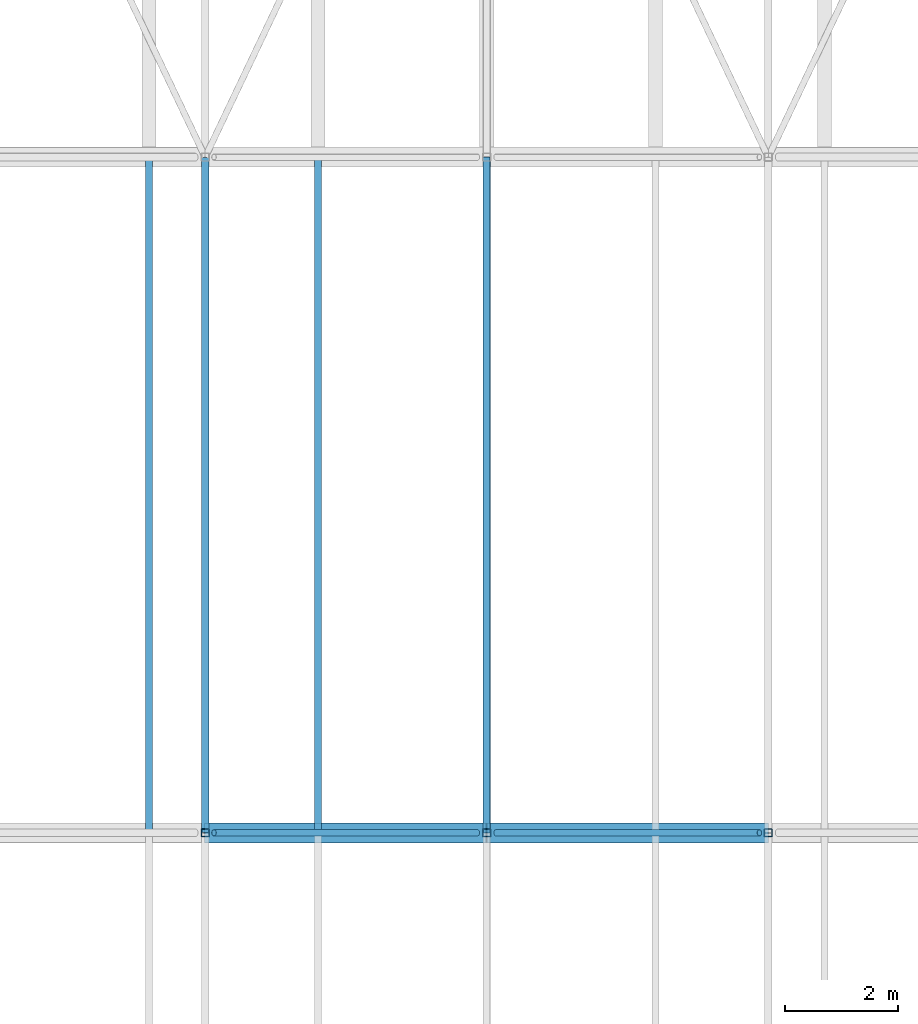
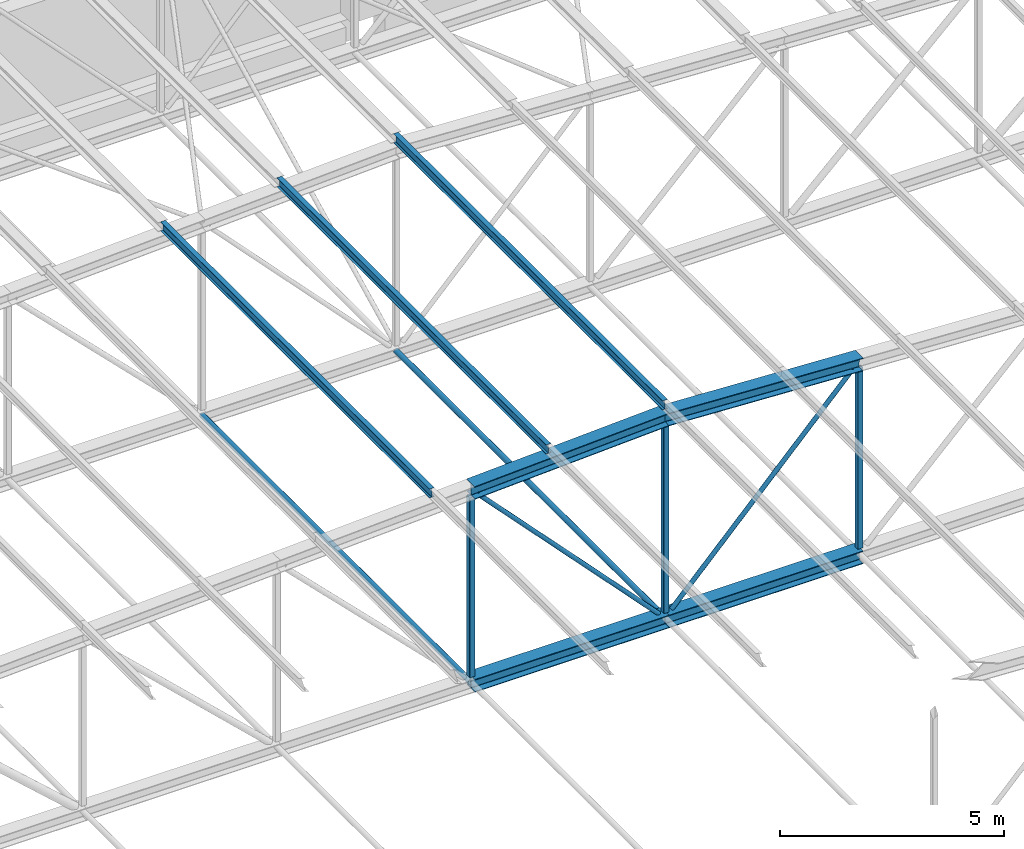
# One storey, part 109 of 156: 14 members.
"""IFC4 building model written with IfcOpenShell, lengths in metres."""

from ifc_helpers import new_model, si_unit, direction, frame, origin, origin_2d, place, context, subcontext, project, spatial, hollow_rectangle, hollow_circle, i_section, extrude, material, material_profile, profile_set, type_object, element, save


model = new_model("IFC4")

# Units and contexts
model_context = context("Model", 3, precision=1e-05, world=origin(), true_north=direction((0.0, 1.0)))
body_context = subcontext(model_context, "Body", "Model", "MODEL_VIEW")
ifc_project = project(units=[si_unit("LENGTHUNIT", "METRE"), si_unit("AREAUNIT", "SQUARE_METRE"), si_unit("VOLUMEUNIT", "CUBIC_METRE"), si_unit("PLANEANGLEUNIT", "RADIAN"), si_unit("MASSUNIT", "GRAM", prefix="KILO")], contexts=[model_context])

# Site, building, storey
site_placement = place(None, origin())
site = spatial("IfcSite", under=ifc_project, at=site_placement, CompositionType="ELEMENT")
building_placement = place(site_placement, origin())
building = spatial("IfcBuilding", under=site, at=building_placement, Name="Lilac Gate Convention Centre", CompositionType="ELEMENT")
storey_placement = place(building_placement, frame((0.0, 0.0, 17.0)))
storey = spatial("IfcBuildingStorey", under=building, at=storey_placement, Name="L03", CompositionType="ELEMENT", Elevation=17.0)

# Members
ifc_material = material(Name="Steel Q355B", Category="steel")
ifc_material_profile_1 = material_profile(ifc_material, hollow_circle(Radius=0.06982421875, WallThickness=0.0048828125, at=origin_2d()), Name="CHS139.7x5")
ifc_profile_set_1 = profile_set([ifc_material_profile_1], Name="Steel Q355B")
member_type_1 = type_object("IfcMemberType", Name="Bottom chord tie CHS139.7x5", PredefinedType="STRUT", material=ifc_profile_set_1)
for number, where, z_axis, x_axis, name in (
    (1, (55.0, 198.009521484375, 0.0), (0.0, 1.0, 0.0), (-1.0, 0.0, 0.0), "ST1 tie bay 15 node 6"),
    (2, (60.0, 198.009521484375, 0.0), (0.0, 1.0, 0.0), (-1.0, 0.0, 0.0), "ST1 tie bay 15 node 7"),
):
    element("IfcMember", number, at=place(storey_placement, frame(where, z_axis=z_axis, x_axis=x_axis)), inside=storey, type_object=member_type_1, Name=name, PredefinedType="STRUT", context=body_context, shape_type="SweptSolid", body=[
        extrude(hollow_circle(Radius=0.06982421875, WallThickness=0.0048828125, at=origin_2d()), origin(), (0.0, 0.0, 1.0), 11.98095703125),
    ])
ifc_material_profile_2 = material_profile(ifc_material, i_section(OverallWidth=0.125, OverallDepth=0.25, WebThickness=0.006103515625, FlangeThickness=0.009033203125, FilletRadius=0.008056640625, at=origin_2d()), Name="HN250x125x6x9")
ifc_profile_set_2 = profile_set([ifc_material_profile_2], Name="Steel Q355B")
member_type_2 = type_object("IfcMemberType", Name="Roof purlin HN250x125x6x9", PredefinedType="PURLIN", material=ifc_profile_set_2)
for number, where, z_axis, x_axis, name in (
    (3, (54.0, 198.0, 5.500244140625), (0.0, 1.0, 0.0), (-1.0, 0.0, 0.0), "PU2 purlin bay 15 line 9"),
    (4, (57.0, 198.0, 5.650146484375), (0.0, 1.0, 0.0), (-1.0, 0.0, 0.0), "PU2 purlin bay 15 line 10"),
    (5, (60.0, 198.0, 5.80029296875), (0.0, 1.0, 0.0), (-1.0, 0.0, 0.0), "PU2 purlin bay 15 line 11"),
):
    element("IfcMember", number, at=place(storey_placement, frame(where, z_axis=z_axis, x_axis=x_axis)), inside=storey, type_object=member_type_2, Name=name, PredefinedType="PURLIN", context=body_context, shape_type="SweptSolid", body=[
        extrude(i_section(OverallWidth=0.125, OverallDepth=0.25, WebThickness=0.006103515625, FlangeThickness=0.009033203125, FilletRadius=0.008056640625, at=origin_2d()), origin(), (0.0, 0.0, 1.0), 12.0),
    ])
ifc_material_profile_3 = material_profile(ifc_material, i_section(OverallWidth=0.35693359375, OverallDepth=0.35009765625, WebThickness=0.01904296875, FlangeThickness=0.01904296875, FilletRadius=0.012939453125, at=origin_2d()), Name="HW350x357x19x19")
ifc_profile_set_3 = profile_set([ifc_material_profile_3], Name="Steel Q355B")
member_type_3 = type_object("IfcMemberType", Name="Truss bottom chord HW350x357x19x19", PredefinedType="CHORD", material=ifc_profile_set_3)
for number, where, z_axis, x_axis, name in (
    (6, (55.0, 198.0, 0.0), (1.0, 0.0, 0.0), (0.0, 1.0, 0.0), "TB3 truss 15 bottom chord 6"),
    (7, (60.0, 198.0, 0.0), (1.0, 0.0, 0.0), (0.0, 1.0, 0.0), "TB3 truss 15 bottom chord 7"),
):
    element("IfcMember", number, at=place(storey_placement, frame(where, z_axis=z_axis, x_axis=x_axis)), inside=storey, type_object=member_type_3, Name=name, PredefinedType="CHORD", context=body_context, shape_type="SweptSolid", body=[
        extrude(i_section(OverallWidth=0.35693359375, OverallDepth=0.35009765625, WebThickness=0.01904296875, FlangeThickness=0.01904296875, FilletRadius=0.012939453125, at=origin_2d()), origin(), (0.0, 0.0, 1.0), 5.0),
    ])
ifc_material_profile_4 = material_profile(ifc_material, hollow_circle(Radius=0.05712890625, WallThickness=0.0048828125, at=origin_2d()), Name="CHS114.3x5")
ifc_profile_set_4 = profile_set([ifc_material_profile_4], Name="Steel Q355B")
member_type_4 = type_object("IfcMemberType", Name="Truss diagonal CHS114.3x5", PredefinedType="BRACE", material=ifc_profile_set_4)
for number, where, z_axis, x_axis, name in (
    (8, (55.156494140625, 198.0, 5.085693359375), (0.6896515765, 0.0, -0.724141355697), (0.0, 1.0, 0.0), "TW6 truss 15 diagonal 6"),
    (9, (64.843505859375, 198.0, 5.085693359375), (-0.6896515765, 0.0, -0.724141355697), (0.0, -1.0, 0.0), "TW6 truss 15 diagonal 7"),
):
    element("IfcMember", number, at=place(storey_placement, frame(where, z_axis=z_axis, x_axis=x_axis)), inside=storey, type_object=member_type_4, Name=name, PredefinedType="BRACE", context=body_context, shape_type="SweptSolid", body=[
        extrude(hollow_circle(Radius=0.05712890625, WallThickness=0.0048828125, at=origin_2d()), origin(), (0.0, 0.0, 1.0), 6.78125),
    ])
ifc_material_profile_5 = material_profile(ifc_material, i_section(OverallWidth=0.35693359375, OverallDepth=0.35009765625, WebThickness=0.01904296875, FlangeThickness=0.01904296875, FilletRadius=0.012939453125, at=origin_2d()), Name="HW350x357x19x19")
ifc_profile_set_5 = profile_set([ifc_material_profile_5], Name="Steel Q355B")
member_type_5 = type_object("IfcMemberType", Name="Truss top chord HW350x357x19x19", PredefinedType="CHORD", material=ifc_profile_set_5)
for number, where, z_axis, x_axis, name in (
    (10, (55.0, 198.0, 5.25), (0.998752338878, 0.0, 0.049937616944), (0.0, 1.0, 0.0), "TT3 truss 15 top chord 6"),
    (11, (60.0, 198.0, 5.5), (0.998752338878, 0.0, -0.049937616944), (0.0, 1.0, 0.0), "TT3 truss 15 top chord 7"),
):
    element("IfcMember", number, at=place(storey_placement, frame(where, z_axis=z_axis, x_axis=x_axis)), inside=storey, type_object=member_type_5, Name=name, PredefinedType="CHORD", context=body_context, shape_type="SweptSolid", body=[
        extrude(i_section(OverallWidth=0.35693359375, OverallDepth=0.35009765625, WebThickness=0.01904296875, FlangeThickness=0.01904296875, FilletRadius=0.012939453125, at=origin_2d()), origin(), (0.0, 0.0, 1.0), 5.00634765625),
    ])
ifc_material_profile_6 = material_profile(ifc_material, hollow_rectangle(XDim=0.139892578125, YDim=0.139892578125, WallThickness=0.0048828125, InnerFilletRadius=0.0048828125, OuterFilletRadius=0.010009765625, at=origin_2d()), Name="SHS140x140x5")
ifc_profile_set_6 = profile_set([ifc_material_profile_6], Name="Steel Q355B")
member_type_6 = type_object("IfcMemberType", Name="Truss vertical SHS140x140x5", PredefinedType="STRUT", material=ifc_profile_set_6)
member_1_placement = place(storey_placement, frame((55.0, 198.0, 0.175048828125), z_axis=(0.0, 0.0, 1.0), x_axis=(1.0, 0.0, 0.0)))
element("IfcMember", 12, at=member_1_placement, inside=storey, type_object=member_type_6, Name="TV4 truss 15 vertical 6", PredefinedType="STRUT", context=body_context, shape_type="SweptSolid", body=[
    extrude(hollow_rectangle(XDim=0.139892578125, YDim=0.139892578125, WallThickness=0.0048828125, InnerFilletRadius=0.0048828125, OuterFilletRadius=0.010009765625, at=origin_2d()), origin(), (0.0, 0.0, 1.0), 4.899658203125),
])
member_2_placement = place(storey_placement, frame((60.0, 198.0, 0.175048828125), z_axis=(0.0, 0.0, 1.0), x_axis=(1.0, 0.0, 0.0)))
element("IfcMember", 13, at=member_2_placement, inside=storey, type_object=member_type_6, Name="TV4 truss 15 vertical 7", PredefinedType="STRUT", context=body_context, shape_type="SweptSolid", body=[
    extrude(hollow_rectangle(XDim=0.139892578125, YDim=0.139892578125, WallThickness=0.0048828125, InnerFilletRadius=0.0048828125, OuterFilletRadius=0.010009765625, at=origin_2d()), origin(), (0.0, 0.0, 1.0), 5.149658203125),
])
member_3_placement = place(storey_placement, frame((65.0, 198.0, 0.175048828125), z_axis=(0.0, 0.0, 1.0), x_axis=(1.0, 0.0, 0.0)))
element("IfcMember", 14, at=member_3_placement, inside=storey, type_object=member_type_6, Name="TV4 truss 15 vertical 8", PredefinedType="STRUT", context=body_context, shape_type="SweptSolid", body=[
    extrude(hollow_rectangle(XDim=0.139892578125, YDim=0.139892578125, WallThickness=0.0048828125, InnerFilletRadius=0.0048828125, OuterFilletRadius=0.010009765625, at=origin_2d()), origin(), (0.0, 0.0, 1.0), 4.899658203125),
])

save(model, "model.ifc")
